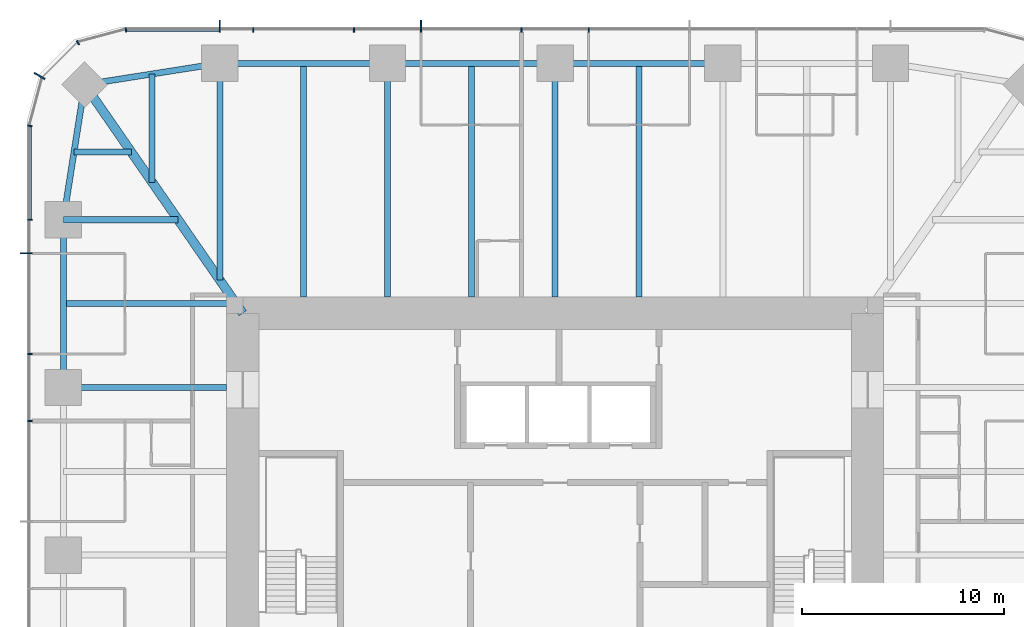
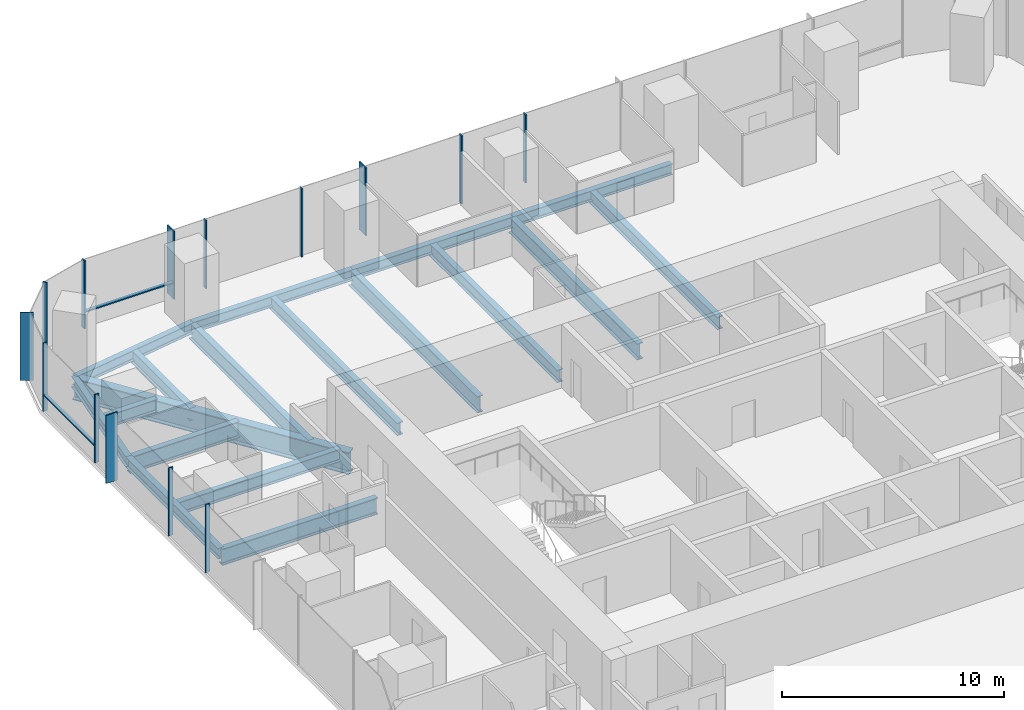
# One storey, part 5 of 12: 18 beams, 16 members, 3 elements without a shape of their own.
"""IFC4 building model written with IfcOpenShell, lengths in metres."""

from ifc_helpers import new_model, si_unit, direction, frame, origin, origin_2d, place, context, subcontext, project, spatial, rectangle, i_section, extrude, material, material_profile, profile_set, type_object, element, aggregate, save


model = new_model("IFC4")

# Units and contexts
model_context = context("Model", 3, precision=1e-05, world=origin(), true_north=direction((0.0, 1.0)))
body_context = subcontext(model_context, "Body", "Model", "MODEL_VIEW")
ifc_project = project(units=[si_unit("LENGTHUNIT", "METRE"), si_unit("AREAUNIT", "SQUARE_METRE"), si_unit("VOLUMEUNIT", "CUBIC_METRE"), si_unit("PLANEANGLEUNIT", "RADIAN"), si_unit("MASSUNIT", "GRAM", prefix="KILO")], contexts=[model_context])

# Site, building, storey
site_placement = place(None, origin())
site = spatial("IfcSite", under=ifc_project, at=site_placement, CompositionType="ELEMENT")
building_placement = place(site_placement, origin())
building = spatial("IfcBuilding", under=site, at=building_placement, Name="Khuree Lantern Residences", CompositionType="ELEMENT")
storey_placement = place(building_placement, frame((0.0, 0.0, 229.5)))
storey = spatial("IfcBuildingStorey", under=building, at=storey_placement, Name="L57", CompositionType="ELEMENT", Elevation=229.5)

# Beams
ifc_material_1 = material(Name="Steel S355", Category="steel")
ifc_material_profile_1 = material_profile(ifc_material_1, i_section(OverallWidth=0.300048828125, OverallDepth=0.68994140625, WebThickness=0.014404296875, FlangeThickness=0.027099609375, FilletRadius=0.027099609375, at=origin_2d()), Name="HE 700 A")
ifc_profile_set_1 = profile_set([ifc_material_profile_1], Name="Steel S355")
beam_type_1 = type_object("IfcBeamType", Name="B-33 SECONDARY BEAM HE 700 A", PredefinedType="BEAM", material=ifc_profile_set_1)
for number, where, z_axis, x_axis, name in (
    (1, (-12.47998046875, 24.39990234375, -0.594970703125), (0.0, -1.0, 0.0), (1.0, 0.0, 0.0), "Secondary beam N1"),
    (2, (-4.159912109375, 24.39990234375, -0.594970703125), (0.0, -1.0, 0.0), (1.0, 0.0, 0.0), "Secondary beam N2"),
    (3, (4.159912109375, 24.39990234375, -0.594970703125), (0.0, -1.0, 0.0), (1.0, 0.0, 0.0), "Secondary beam N3"),
):
    element("IfcBeam", number, at=place(storey_placement, frame(where, z_axis=z_axis, x_axis=x_axis)), inside=storey, type_object=beam_type_1, Name=name, PredefinedType="BEAM", context=body_context, shape_type="SweptSolid", body=[
        extrude(i_section(OverallWidth=0.300048828125, OverallDepth=0.68994140625, WebThickness=0.014404296875, FlangeThickness=0.027099609375, FilletRadius=0.027099609375, at=origin_2d()), origin(), (0.0, 0.0, 1.0), 11.599853515625),
    ])
beam_1_placement = place(storey_placement, frame((-24.39990234375, 12.47998046875, -0.594970703125), z_axis=(1.0, 0.0, 0.0), x_axis=(0.0, 1.0, 0.0)))
element("IfcBeam", 4, at=beam_1_placement, inside=storey, type_object=beam_type_1, Name="Secondary beam W5", PredefinedType="BEAM", context=body_context, shape_type="SweptSolid", body=[
    extrude(i_section(OverallWidth=0.300048828125, OverallDepth=0.68994140625, WebThickness=0.014404296875, FlangeThickness=0.027099609375, FilletRadius=0.027099609375, at=origin_2d()), origin(), (0.0, 0.0, 1.0), 8.56787109375),
])
beam_2_placement = place(storey_placement, frame((-23.872802734375, 19.992919921875, -0.594970703125), z_axis=(1.0, 0.0, 0.0), x_axis=(0.0, 1.0, 0.0)))
element("IfcBeam", 5, at=beam_2_placement, inside=storey, type_object=beam_type_1, Name="Secondary beam W6", PredefinedType="BEAM", context=body_context, shape_type="SweptSolid", body=[
    extrude(i_section(OverallWidth=0.300048828125, OverallDepth=0.68994140625, WebThickness=0.014404296875, FlangeThickness=0.027099609375, FilletRadius=0.027099609375, at=origin_2d()), origin(), (0.0, 0.0, 1.0), 2.845703125),
])
beam_3_placement = place(storey_placement, frame((-19.992919921875, 23.872802734375, -0.594970703125), z_axis=(0.0, -1.0, 0.0), x_axis=(1.0, 0.0, 0.0)))
element("IfcBeam", 6, at=beam_3_placement, inside=storey, type_object=beam_type_1, Name="Secondary beam N6", PredefinedType="BEAM", context=body_context, shape_type="SweptSolid", body=[
    extrude(i_section(OverallWidth=0.300048828125, OverallDepth=0.68994140625, WebThickness=0.014404296875, FlangeThickness=0.027099609375, FilletRadius=0.027099609375, at=origin_2d()), origin(), (0.0, 0.0, 1.0), 5.375732421875),
])
ifc_material_profile_2 = material_profile(ifc_material_1, i_section(OverallWidth=0.300048828125, OverallDepth=0.590087890625, WebThickness=0.012939453125, FlangeThickness=0.02490234375, FilletRadius=0.027099609375, at=origin_2d()), Name="HE 600 A")
ifc_profile_set_2 = profile_set([ifc_material_profile_2], Name="Steel S355")
beam_type_2 = type_object("IfcBeamType", Name="E-33 SPANDREL BEAM HE 600 A", PredefinedType="SPANDREL", material=ifc_profile_set_2)
beam_4_placement = place(storey_placement, frame((-16.639892578125, 24.39990234375, -0.544921875), z_axis=(1.0, 0.0, 0.0), x_axis=(0.0, 1.0, 0.0)))
element("IfcBeam", 7, at=beam_4_placement, inside=storey, type_object=beam_type_2, Name="Spandrel beam N1", PredefinedType="SPANDREL", context=body_context, shape_type="SweptSolid", body=[
    extrude(i_section(OverallWidth=0.300048828125, OverallDepth=0.590087890625, WebThickness=0.012939453125, FlangeThickness=0.02490234375, FilletRadius=0.027099609375, at=origin_2d()), origin(), (0.0, 0.0, 1.0), 8.31982421875),
])
for number, where, z_axis, x_axis, name in (
    (8, (-8.320068359375, 24.39990234375, -0.544921875), (1.0, 0.0, 0.0), (0.0, 1.0, 0.0), "Spandrel beam N2"),
    (9, (0.0, 24.39990234375, -0.544921875), (1.0, 0.0, 0.0), (0.0, 1.0, 0.0), "Spandrel beam N3"),
):
    element("IfcBeam", number, at=place(storey_placement, frame(where, z_axis=z_axis, x_axis=x_axis)), inside=storey, type_object=beam_type_2, Name=name, PredefinedType="SPANDREL", context=body_context, shape_type="SweptSolid", body=[
        extrude(i_section(OverallWidth=0.300048828125, OverallDepth=0.590087890625, WebThickness=0.012939453125, FlangeThickness=0.02490234375, FilletRadius=0.027099609375, at=origin_2d()), origin(), (0.0, 0.0, 1.0), 8.320068359375),
    ])
beam_5_placement = place(storey_placement, frame((-24.39990234375, 8.320068359375, -0.544921875), z_axis=(0.0, 1.0, 0.0), x_axis=(-1.0, 0.0, 0.0)))
element("IfcBeam", 10, at=beam_5_placement, inside=storey, type_object=beam_type_2, Name="Spandrel beam W5", PredefinedType="SPANDREL", context=body_context, shape_type="SweptSolid", body=[
    extrude(i_section(OverallWidth=0.300048828125, OverallDepth=0.590087890625, WebThickness=0.012939453125, FlangeThickness=0.02490234375, FilletRadius=0.027099609375, at=origin_2d()), origin(), (0.0, 0.0, 1.0), 8.31982421875),
])
for number, where, z_axis, x_axis, name in (
    (11, (-24.39990234375, 16.639892578125, -0.544921875), (0.155299507442, 0.98786743189, 0.0), (-0.98786743189, 0.155299507442, 0.0), "Spandrel beam W6"),
    (12, (-23.345703125, 23.345703125, -0.544921875), (0.98786743189, 0.155299507442, 0.0), (-0.155299507442, 0.98786743189, 0.0), "Spandrel beam N6"),
):
    element("IfcBeam", number, at=place(storey_placement, frame(where, z_axis=z_axis, x_axis=x_axis)), inside=storey, type_object=beam_type_2, Name=name, PredefinedType="SPANDREL", context=body_context, shape_type="SweptSolid", body=[
        extrude(i_section(OverallWidth=0.300048828125, OverallDepth=0.590087890625, WebThickness=0.012939453125, FlangeThickness=0.02490234375, FilletRadius=0.027099609375, at=origin_2d()), origin(), (0.0, 0.0, 1.0), 6.7880859375),
    ])

# Curtain wall, members
ifc_material_2 = material(Name="Bronze anodised aluminium", Category="aluminium")
curtain_wall_type_1 = type_object("IfcCurtainWallType", Name="CW-T1 TOWER FACE CURTAIN WALL", PredefinedType="USERDEFINED", material=ifc_material_2)
curtain_wall_1_placement = place(storey_placement, origin())
curtain_wall_1 = element("IfcCurtainWall", 13, at=curtain_wall_1_placement, inside=storey, type_object=curtain_wall_type_1, Name="L57 NORTH FACE CURTAIN WALL", ObjectType="Stick-built curtain wall", PredefinedType="USERDEFINED")
ifc_material_profile_3 = material_profile(ifc_material_2, rectangle(XDim=0.06494140625, YDim=0.60009765625, at=origin_2d()), Name="F1 65X600")
ifc_profile_set_3 = profile_set([ifc_material_profile_3], Name="Bronze anodised aluminium")
member_type_1 = type_object("IfcMemberType", Name="F1 BRONZE FIN MULLION TOWER 65X600", PredefinedType="MULLION", material=ifc_profile_set_3)
member_1_placement = place(storey_placement, frame((-6.656005859375, 26.25, 0.0), z_axis=(0.0, 0.0, 1.0), x_axis=(-1.0, 0.0, 0.0)))
member_1 = element("IfcMember", 14, at=member_1_placement, type_object=member_type_1, Name="L57 NORTH FACE FIN MULLION 25", PredefinedType="MULLION", context=body_context, shape_type="SweptSolid", body=[
    extrude(rectangle(XDim=0.06494140625, YDim=0.60009765625, at=origin_2d()), origin(), (0.0, 0.0, 1.0), 3.75),
])
member_2_placement = place(storey_placement, frame((-16.639892578125, 26.25, 0.0), z_axis=(0.0, 0.0, 1.0), x_axis=(-1.0, 0.0, 0.0)))
member_2 = element("IfcMember", 15, at=member_2_placement, type_object=member_type_1, Name="L57 NORTH FACE FIN MULLION 28", PredefinedType="MULLION", context=body_context, shape_type="SweptSolid", body=[
    extrude(rectangle(XDim=0.06494140625, YDim=0.60009765625, at=origin_2d()), origin(), (0.0, 0.0, 1.0), 3.75),
])

# Curtain wall, member
curtain_wall_type_2 = type_object("IfcCurtainWallType", Name="CW-T2 TOWER CORNER CURTAIN WALL", PredefinedType="USERDEFINED", material=ifc_material_2)
curtain_wall_2_placement = place(storey_placement, origin())
curtain_wall_2 = element("IfcCurtainWall", 16, at=curtain_wall_2_placement, inside=storey, type_object=curtain_wall_type_2, Name="L57 NORTH-WEST CORNER CURTAIN WALL", ObjectType="Faceted corner curtain wall", PredefinedType="USERDEFINED")
member_3_placement = place(storey_placement, frame((-25.5869140625, 23.77490234375, 0.0), z_axis=(0.0, 0.0, 1.0), x_axis=(-0.499999989586, -0.866025409797, 0.0)))
member_3 = element("IfcMember", 17, at=member_3_placement, type_object=member_type_1, Name="L57 NORTH-WEST CORNER FIN MULLION 31", PredefinedType="MULLION", context=body_context, shape_type="SweptSolid", body=[
    extrude(rectangle(XDim=0.06494140625, YDim=0.60009765625, at=origin_2d()), origin(), (0.0, 0.0, 1.0), 3.75),
])

curtain_wall_3_placement = place(storey_placement, origin())
curtain_wall_3 = element("IfcCurtainWall", 18, at=curtain_wall_3_placement, inside=storey, type_object=curtain_wall_type_1, Name="L57 WEST FACE CURTAIN WALL", ObjectType="Stick-built curtain wall", PredefinedType="USERDEFINED")
member_4_placement = place(storey_placement, frame((-26.25, 14.97607421875, 0.0), z_axis=(0.0, 0.0, 1.0), x_axis=(0.0, -1.0, 0.0)))
member_4 = element("IfcMember", 19, at=member_4_placement, type_object=member_type_1, Name="L57 WEST FACE FIN MULLION 34", PredefinedType="MULLION", context=body_context, shape_type="SweptSolid", body=[
    extrude(rectangle(XDim=0.06494140625, YDim=0.60009765625, at=origin_2d()), origin(), (0.0, 0.0, 1.0), 3.75),
])

# Beams
ifc_material_profile_4 = material_profile(ifc_material_1, i_section(OverallWidth=0.300048828125, OverallDepth=0.89990234375, WebThickness=0.0185546875, FlangeThickness=0.034912109375, FilletRadius=0.030029296875, at=origin_2d()), Name="HE 900 B")
ifc_profile_set_4 = profile_set([ifc_material_profile_4], Name="Steel S355")
beam_type_3 = type_object("IfcBeamType", Name="G-33 GIRDER HE 900 B", PredefinedType="BEAM", material=ifc_profile_set_4)
beam_6_placement = place(storey_placement, frame((-16.639892578125, 24.39990234375, -0.699951171875), z_axis=(0.0, -1.0, 0.0), x_axis=(1.0, 0.0, 0.0)))
element("IfcBeam", 20, at=beam_6_placement, inside=storey, type_object=beam_type_3, Name="Girder N1", PredefinedType="BEAM", context=body_context, shape_type="SweptSolid", body=[
    extrude(i_section(OverallWidth=0.300048828125, OverallDepth=0.89990234375, WebThickness=0.0185546875, FlangeThickness=0.034912109375, FilletRadius=0.030029296875, at=origin_2d()), origin(), (0.0, 0.0, 1.0), 10.751220703125),
])
for number, where, z_axis, x_axis, name in (
    (21, (-8.320068359375, 24.39990234375, -0.699951171875), (0.0, -1.0, 0.0), (1.0, 0.0, 0.0), "Girder N2"),
    (22, (0.0, 24.39990234375, -0.699951171875), (0.0, -1.0, 0.0), (1.0, 0.0, 0.0), "Girder N3"),
):
    element("IfcBeam", number, at=place(storey_placement, frame(where, z_axis=z_axis, x_axis=x_axis)), inside=storey, type_object=beam_type_3, Name=name, PredefinedType="BEAM", context=body_context, shape_type="SweptSolid", body=[
        extrude(i_section(OverallWidth=0.300048828125, OverallDepth=0.89990234375, WebThickness=0.0185546875, FlangeThickness=0.034912109375, FilletRadius=0.030029296875, at=origin_2d()), origin(), (0.0, 0.0, 1.0), 11.599853515625),
    ])
beam_7_placement = place(storey_placement, frame((-24.39990234375, 8.320068359375, -0.699951171875), z_axis=(1.0, 0.0, 0.0), x_axis=(0.0, 1.0, 0.0)))
element("IfcBeam", 23, at=beam_7_placement, inside=storey, type_object=beam_type_3, Name="Girder W4", PredefinedType="BEAM", context=body_context, shape_type="SweptSolid", body=[
    extrude(i_section(OverallWidth=0.300048828125, OverallDepth=0.89990234375, WebThickness=0.0185546875, FlangeThickness=0.034912109375, FilletRadius=0.030029296875, at=origin_2d()), origin(), (0.0, 0.0, 1.0), 8.099853515625),
])
beam_8_placement = place(storey_placement, frame((-24.39990234375, 16.639892578125, -0.699951171875), z_axis=(1.0, 0.0, 0.0), x_axis=(0.0, 1.0, 0.0)))
element("IfcBeam", 24, at=beam_8_placement, inside=storey, type_object=beam_type_3, Name="Girder W5", PredefinedType="BEAM", context=body_context, shape_type="SweptSolid", body=[
    extrude(i_section(OverallWidth=0.300048828125, OverallDepth=0.89990234375, WebThickness=0.0185546875, FlangeThickness=0.034912109375, FilletRadius=0.030029296875, at=origin_2d()), origin(), (0.0, 0.0, 1.0), 5.69140625),
])
ifc_material_profile_5 = material_profile(ifc_material_1, i_section(OverallWidth=0.449951171875, OverallDepth=1.199951171875, WebThickness=0.02490234375, FlangeThickness=0.044921875, at=origin_2d()), Name="WELDED I 1200X450X25X45")
ifc_profile_set_5 = profile_set([ifc_material_profile_5], Name="Steel S355")
beam_type_4 = type_object("IfcBeamType", Name="GD-33 CORNER GIRDER WELDED I 1200X450X25X45", PredefinedType="BEAM", material=ifc_profile_set_5)
beam_9_placement = place(storey_placement, frame((-23.345703125, 23.345703125, -0.85009765625), z_axis=(0.56876813501, -0.822497907959, 0.0), x_axis=(0.822497907959, 0.56876813501, 0.0)))
element("IfcBeam", 25, at=beam_9_placement, inside=storey, type_object=beam_type_4, Name="Corner girder NW", PredefinedType="BEAM", context=body_context, shape_type="SweptSolid", body=[
    extrude(i_section(OverallWidth=0.449951171875, OverallDepth=1.199951171875, WebThickness=0.02490234375, FlangeThickness=0.044921875, at=origin_2d()), origin(), (0.0, 0.0, 1.0), 13.794189453125),
])

# Member
ifc_material_profile_6 = material_profile(ifc_material_2, rectangle(XDim=0.06494140625, YDim=0.219970703125, at=origin_2d()), Name="M1 65X220")
ifc_profile_set_6 = profile_set([ifc_material_profile_6], Name="Bronze anodised aluminium")
member_type_2 = type_object("IfcMemberType", Name="M1 BRONZE MULLION TOWER 65X220", PredefinedType="MULLION", material=ifc_profile_set_6)
member_5_placement = place(storey_placement, frame((1.6640625, 26.06005859375, 0.0), z_axis=(0.0, 0.0, 1.0), x_axis=(-1.0, 0.0, 0.0)))
member_5 = element("IfcMember", 26, at=member_5_placement, type_object=member_type_2, Name="L57 NORTH FACE MULLION 23", PredefinedType="MULLION", context=body_context, shape_type="SweptSolid", body=[
    extrude(rectangle(XDim=0.06494140625, YDim=0.219970703125, at=origin_2d()), origin(), (0.0, 0.0, 1.0), 3.75),
])

member_6_placement = place(storey_placement, frame((-1.6640625, 26.06005859375, 0.0), z_axis=(0.0, 0.0, 1.0), x_axis=(-1.0, 0.0, 0.0)))
member_6 = element("IfcMember", 27, at=member_6_placement, type_object=member_type_2, Name="L57 NORTH FACE MULLION 24", PredefinedType="MULLION", context=body_context, shape_type="SweptSolid", body=[
    extrude(rectangle(XDim=0.06494140625, YDim=0.219970703125, at=origin_2d()), origin(), (0.0, 0.0, 1.0), 3.75),
])

member_7_placement = place(storey_placement, frame((-9.98388671875, 26.06005859375, 0.0), z_axis=(0.0, 0.0, 1.0), x_axis=(-1.0, 0.0, 0.0)))
member_7 = element("IfcMember", 28, at=member_7_placement, type_object=member_type_2, Name="L57 NORTH FACE MULLION 26", PredefinedType="MULLION", context=body_context, shape_type="SweptSolid", body=[
    extrude(rectangle(XDim=0.06494140625, YDim=0.219970703125, at=origin_2d()), origin(), (0.0, 0.0, 1.0), 3.75),
])

member_8_placement = place(storey_placement, frame((-14.97607421875, 26.06005859375, 0.0), z_axis=(0.0, 0.0, 1.0), x_axis=(-1.0, 0.0, 0.0)))
member_8 = element("IfcMember", 29, at=member_8_placement, type_object=member_type_2, Name="L57 NORTH FACE MULLION 27", PredefinedType="MULLION", context=body_context, shape_type="SweptSolid", body=[
    extrude(rectangle(XDim=0.06494140625, YDim=0.219970703125, at=origin_2d()), origin(), (0.0, 0.0, 1.0), 3.75),
])

member_9_placement = place(storey_placement, frame((-21.294921875, 26.061767578125, 0.0), z_axis=(0.0, 0.0, 1.0), x_axis=(-0.991444862943, -0.130526180298, 0.0)))
member_9 = element("IfcMember", 30, at=member_9_placement, type_object=member_type_2, Name="L57 NORTH-WEST CORNER MULLION 29", PredefinedType="MULLION", context=body_context, shape_type="SweptSolid", body=[
    extrude(rectangle(XDim=0.06494140625, YDim=0.219970703125, at=origin_2d()), origin(), (0.0, 0.0, 1.0), 3.75),
])

member_10_placement = place(storey_placement, frame((-23.679931640625, 25.42236328125, 0.0), z_axis=(0.0, 0.0, 1.0), x_axis=(-0.866025409797, -0.499999989586, 0.0)))
member_10 = element("IfcMember", 31, at=member_10_placement, type_object=member_type_2, Name="L57 NORTH-WEST CORNER MULLION 30", PredefinedType="MULLION", context=body_context, shape_type="SweptSolid", body=[
    extrude(rectangle(XDim=0.06494140625, YDim=0.219970703125, at=origin_2d()), origin(), (0.0, 0.0, 1.0), 3.75),
])

aggregate(curtain_wall_2, [member_9, member_10, member_3])

member_11_placement = place(storey_placement, frame((-26.061767578125, 21.294921875, 0.0), z_axis=(0.0, 0.0, 1.0), x_axis=(-0.130526180298, -0.991444862943, 0.0)))
member_11 = element("IfcMember", 32, at=member_11_placement, type_object=member_type_2, Name="L57 WEST FACE MULLION 32", PredefinedType="MULLION", context=body_context, shape_type="SweptSolid", body=[
    extrude(rectangle(XDim=0.06494140625, YDim=0.219970703125, at=origin_2d()), origin(), (0.0, 0.0, 1.0), 3.75),
])

member_12_placement = place(storey_placement, frame((-26.06005859375, 16.639892578125, 0.0), z_axis=(0.0, 0.0, 1.0), x_axis=(0.0, -1.0, 0.0)))
member_12 = element("IfcMember", 33, at=member_12_placement, type_object=member_type_2, Name="L57 WEST FACE MULLION 33", PredefinedType="MULLION", context=body_context, shape_type="SweptSolid", body=[
    extrude(rectangle(XDim=0.06494140625, YDim=0.219970703125, at=origin_2d()), origin(), (0.0, 0.0, 1.0), 3.75),
])

member_13_placement = place(storey_placement, frame((-26.06005859375, 9.98388671875, 0.0), z_axis=(0.0, 0.0, 1.0), x_axis=(0.0, -1.0, 0.0)))
member_13 = element("IfcMember", 34, at=member_13_placement, type_object=member_type_2, Name="L57 WEST FACE MULLION 35", PredefinedType="MULLION", context=body_context, shape_type="SweptSolid", body=[
    extrude(rectangle(XDim=0.06494140625, YDim=0.219970703125, at=origin_2d()), origin(), (0.0, 0.0, 1.0), 3.75),
])

member_14_placement = place(storey_placement, frame((-26.06005859375, 6.656005859375, 0.0), z_axis=(0.0, 0.0, 1.0), x_axis=(0.0, -1.0, 0.0)))
member_14 = element("IfcMember", 35, at=member_14_placement, type_object=member_type_2, Name="L57 WEST FACE MULLION 36", PredefinedType="MULLION", context=body_context, shape_type="SweptSolid", body=[
    extrude(rectangle(XDim=0.06494140625, YDim=0.219970703125, at=origin_2d()), origin(), (0.0, 0.0, 1.0), 3.75),
])

ifc_material_profile_7 = material_profile(ifc_material_2, rectangle(XDim=0.179931640625, YDim=0.06494140625, at=origin_2d()), Name="T1 180X65")
ifc_profile_set_7 = profile_set([ifc_material_profile_7], Name="Bronze anodised aluminium")
member_type_3 = type_object("IfcMemberType", Name="TRANSOM T1 TOWER 180X65", PredefinedType="USERDEFINED", material=ifc_profile_set_7)
member_15_placement = place(storey_placement, frame((-16.672607421875, 26.070068359375, 0.89990234375), z_axis=(-1.0, 0.0, 0.0), x_axis=(0.0, -1.0, 0.0)))
member_15 = element("IfcMember", 36, at=member_15_placement, type_object=member_type_3, Name="L57 NORTH FACE TRANSOM 28.1", ObjectType="Transom", PredefinedType="USERDEFINED", context=body_context, shape_type="SweptSolid", body=[
    extrude(rectangle(XDim=0.179931640625, YDim=0.06494140625, at=origin_2d()), origin(), (0.0, 0.0, 1.0), 4.578857421875),
])

aggregate(curtain_wall_1, [member_5, member_6, member_1, member_7, member_8, member_2, member_15])

member_16_placement = place(storey_placement, frame((-26.070068359375, 21.25146484375, 0.89990234375), z_axis=(0.0, -1.0, 0.0), x_axis=(1.0, 0.0, 0.0)))
member_16 = element("IfcMember", 37, at=member_16_placement, type_object=member_type_3, Name="L57 WEST FACE TRANSOM 32.1", ObjectType="Transom", PredefinedType="USERDEFINED", context=body_context, shape_type="SweptSolid", body=[
    extrude(rectangle(XDim=0.179931640625, YDim=0.06494140625, at=origin_2d()), origin(), (0.0, 0.0, 1.0), 4.578857421875),
])

aggregate(curtain_wall_3, [member_11, member_12, member_4, member_13, member_14, member_16])

save(model, "model.ifc")
